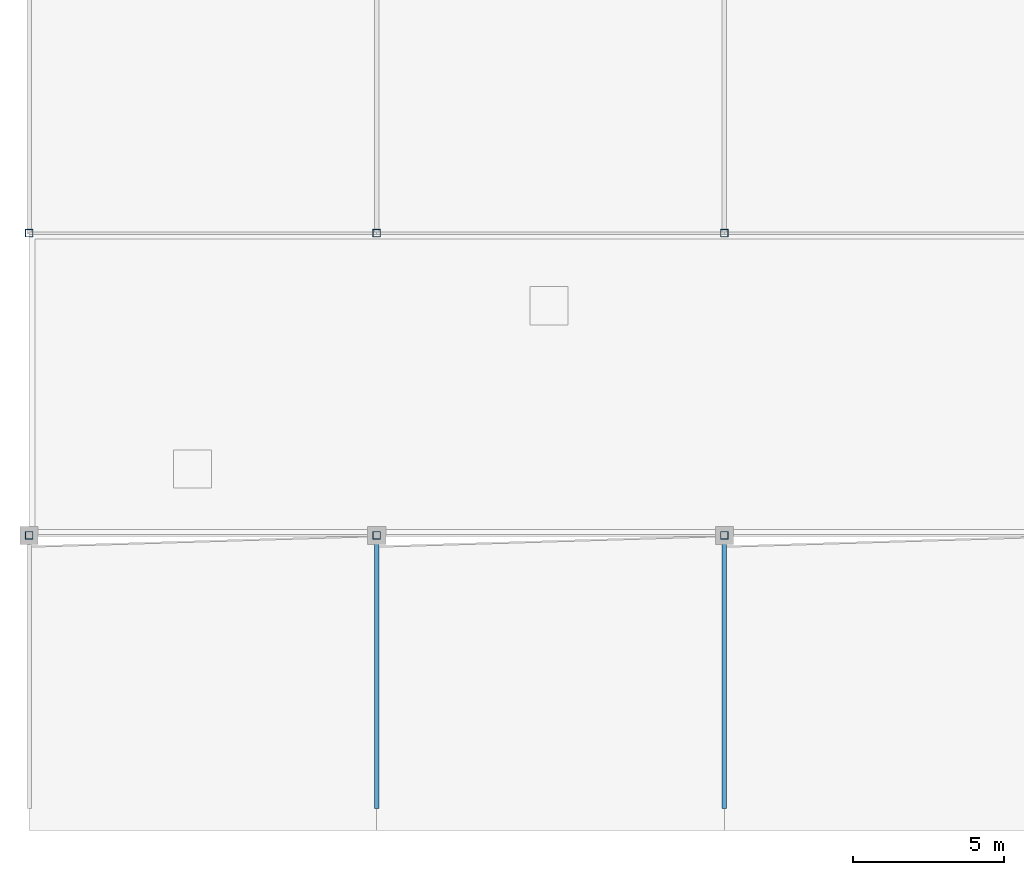
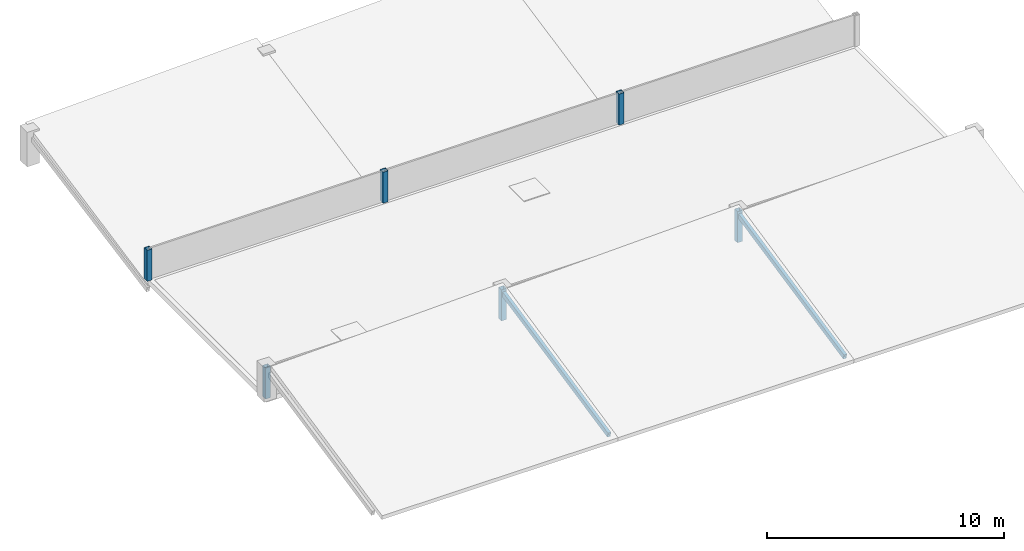
# One storey, part 2 of 6: 8 members.
"""IFC4 building model written with IfcOpenShell, lengths in metres."""

from ifc_helpers import new_model, si_unit, direction, frame, origin, origin_2d, place, context, subcontext, project, spatial, hollow_rectangle, extrude, material, material_profile, profile_set, type_object, element, save


model = new_model("IFC4")

# Units and contexts
model_context = context("Model", 3, precision=1e-05, world=origin(), true_north=direction((0.0, 1.0)))
body_context = subcontext(model_context, "Body", "Model", "MODEL_VIEW")
ifc_project = project(units=[si_unit("LENGTHUNIT", "METRE"), si_unit("AREAUNIT", "SQUARE_METRE"), si_unit("VOLUMEUNIT", "CUBIC_METRE"), si_unit("PLANEANGLEUNIT", "RADIAN"), si_unit("MASSUNIT", "GRAM", prefix="KILO")], contexts=[model_context])

# Site, building, storey
site_placement = place(None, origin())
site = spatial("IfcSite", under=ifc_project, at=site_placement, CompositionType="ELEMENT")
building_placement = place(site_placement, origin())
building = spatial("IfcBuilding", under=site, at=building_placement, Name="Ologun Quay Terminus", CompositionType="ELEMENT")
storey_placement = place(building_placement, frame((0.0, 0.0, 26.89990234375)))
storey = spatial("IfcBuildingStorey", under=building, at=storey_placement, Name="ROOF", CompositionType="ELEMENT", Elevation=26.89990234375)

# Members
ifc_material_1 = material(Name="Steel S355", Category="steel")
ifc_material_profile_1 = material_profile(ifc_material_1, hollow_rectangle(XDim=0.25, YDim=0.25, WallThickness=0.010009765625, at=origin_2d()), Name="SHS 250x250x10")
ifc_profile_set_1 = profile_set([ifc_material_profile_1], Name="Steel S355")
member_type_1 = type_object("IfcMemberType", Name="Crown Plant Screen Frame Post SHS250", PredefinedType="STRUT", material=ifc_profile_set_1)
for number, where, z_axis, x_axis, name in (
    (1, (115.0, 94.800048828125, 0.0), (0.0, 0.0, 1.0), (1.0, 0.0, 0.0), "CP1 Plant Screen Post 115-94"),
    (2, (115.0, 104.800048828125, 0.0), (0.0, 0.0, 1.0), (1.0, 0.0, 0.0), "CP1 Plant Screen Post 115-104"),
    (3, (126.5, 94.800048828125, 0.0), (0.0, 0.0, 1.0), (1.0, 0.0, 0.0), "CP1 Plant Screen Post 126-94"),
    (4, (126.5, 104.800048828125, 0.0), (0.0, 0.0, 1.0), (1.0, 0.0, 0.0), "CP1 Plant Screen Post 126-104"),
    (5, (138.0, 94.800048828125, 0.0), (0.0, 0.0, 1.0), (1.0, 0.0, 0.0), "CP1 Plant Screen Post 138-94"),
    (6, (138.0, 104.800048828125, 0.0), (0.0, 0.0, 1.0), (1.0, 0.0, 0.0), "CP1 Plant Screen Post 138-104"),
):
    element("IfcMember", number, at=place(storey_placement, frame(where, z_axis=z_axis, x_axis=x_axis)), inside=storey, type_object=member_type_1, Name=name, PredefinedType="STRUT", context=body_context, shape_type="SweptSolid", body=[
        extrude(hollow_rectangle(XDim=0.25, YDim=0.25, WallThickness=0.010009765625, at=origin_2d()), origin(), (0.0, 0.0, 1.0), 1.60009765625),
    ])
ifc_material_2 = material(Name="Steel S355", Category="steel")
ifc_material_profile_2 = material_profile(ifc_material_2, hollow_rectangle(XDim=0.14990234375, YDim=0.25, WallThickness=0.008056640625, at=origin_2d()), Name="RHS 250x150x8")
ifc_profile_set_2 = profile_set([ifc_material_profile_2], Name="Steel S355")
member_type_2 = type_object("IfcMemberType", Name="Skylight Longitudinal Glazing Bar RHS200", PredefinedType="PURLIN", material=ifc_profile_set_2)
for number, where, z_axis, x_axis, name in (
    (7, (126.5, 85.800048828125, -0.5205078125), (0.0, 0.978431065585, 0.206573594386), (-1.0, 0.0, 0.0), "SK1 Inclined Roof Rafter ROOF-EWNG-12-GH"),
    (8, (138.0, 85.800048828125, -0.5205078125), (0.0, 0.978431065585, 0.206573594386), (-1.0, 0.0, 0.0), "SK1 Inclined Roof Rafter ROOF-EWNG-13-GH"),
):
    element("IfcMember", number, at=place(storey_placement, frame(where, z_axis=z_axis, x_axis=x_axis)), inside=storey, type_object=member_type_2, Name=name, PredefinedType="PURLIN", context=body_context, shape_type="SweptSolid", body=[
        extrude(hollow_rectangle(XDim=0.14990234375, YDim=0.25, WallThickness=0.008056640625, at=origin_2d()), origin(), (0.0, 0.0, 1.0), 9.198486328125),
    ])

save(model, "model.ifc")
